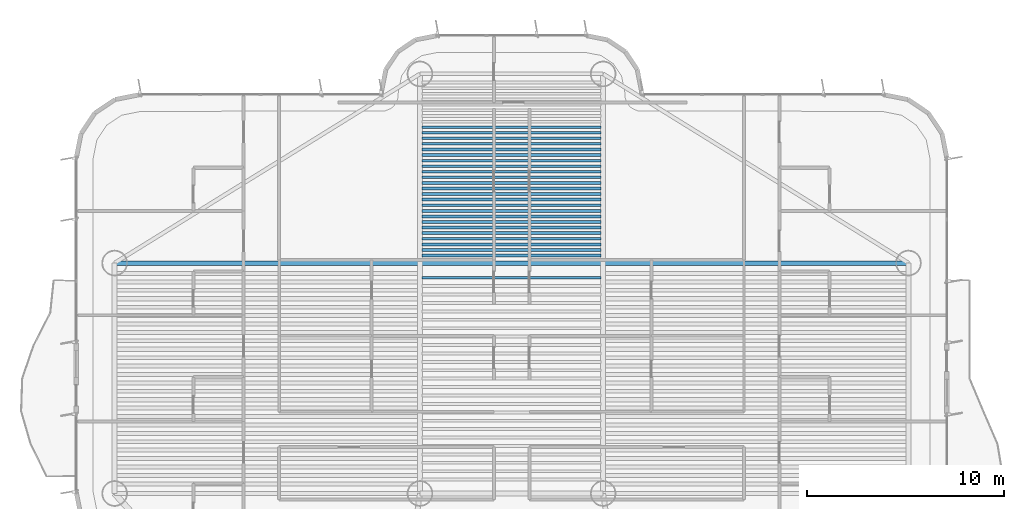
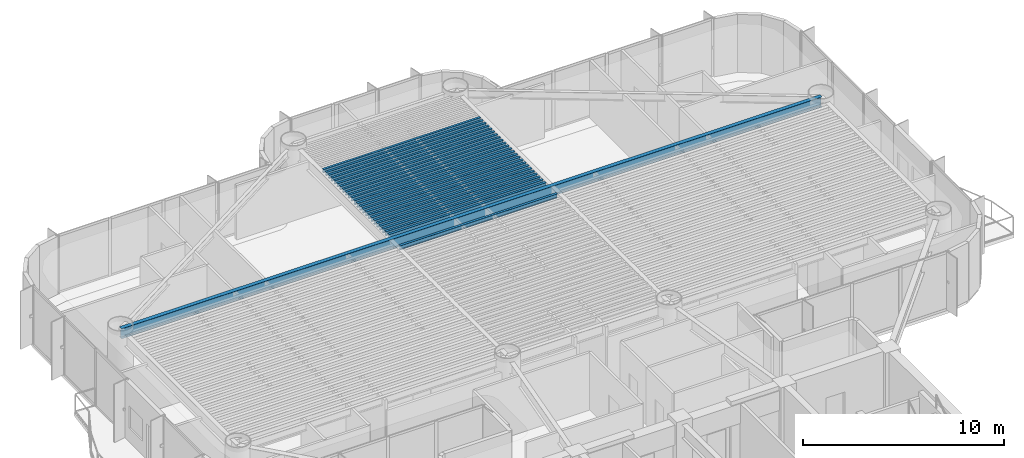
# One storey, part 6 of 17: 26 beams.
"""IFC4 building model written with IfcOpenShell, lengths in metres."""

from ifc_helpers import new_model, si_unit, direction, frame, origin, origin_2d, place, context, subcontext, project, spatial, i_section, extrude, source, transform, mapped, material, material_profile, profile_set, type_object, element, save


model = new_model("IFC4")

# Units and contexts
model_context = context("Model", 3, precision=1e-05, world=origin(), true_north=direction((0.0, 1.0)))
body_context = subcontext(model_context, "Body", "Model", "MODEL_VIEW")
ifc_project = project(units=[si_unit("LENGTHUNIT", "METRE"), si_unit("AREAUNIT", "SQUARE_METRE"), si_unit("VOLUMEUNIT", "CUBIC_METRE"), si_unit("PLANEANGLEUNIT", "RADIAN"), si_unit("MASSUNIT", "GRAM", prefix="KILO")], contexts=[model_context])

# Site, building, storey
site_placement = place(None, origin())
site = spatial("IfcSite", under=ifc_project, at=site_placement, CompositionType="ELEMENT")
building_placement = place(site_placement, origin())
building = spatial("IfcBuilding", under=site, at=building_placement, Name="Brelvock Crest Care Tower", CompositionType="ELEMENT")
storey_placement = place(building_placement, frame((0.0, 0.0, 127.6201171875)))
storey = spatial("IfcBuildingStorey", under=building, at=storey_placement, Name="L32", CompositionType="ELEMENT", Elevation=127.6201171875)

# Beams
ifc_material = material(Name="Steel Grade 350", Category="steel")
ifc_material_profile_1 = material_profile(ifc_material, i_section(OverallWidth=0.14599609375, OverallDepth=0.256103515625, WebThickness=0.00634765625, FlangeThickness=0.010986328125, FilletRadius=0.0087890625, at=origin_2d()), Name="250UB37.3")
ifc_profile_set_1 = profile_set([ifc_material_profile_1], Name="Steel Grade 350")
beam_type_1 = type_object("IfcBeamType", Name="BM-J3", PredefinedType="JOIST", material=ifc_profile_set_1)
shared_shape_1 = source(origin(), body_context, "Body", "SweptSolid", [
    extrude(i_section(OverallWidth=0.14599609375, OverallDepth=0.256103515625, WebThickness=0.00634765625, FlangeThickness=0.010986328125, FilletRadius=0.0087890625, at=origin_2d()), origin(), (0.0, 0.0, 1.0), 9.06982421875),
])
for number, where, z_axis, x_axis, name in (
    (1, (31.465087890625, 38.10400390625, 3.40185546875), (1.0, 0.0, 0.0), (0.0, 1.0, 0.0), "BM-JH-L32-25"),
    (2, (31.465087890625, 39.23388671875, 3.40185546875), (1.0, 0.0, 0.0), (0.0, 1.0, 0.0), "BM-JN-L32-1"),
    (3, (31.465087890625, 39.51708984375, 3.40185546875), (1.0, 0.0, 0.0), (0.0, 1.0, 0.0), "BM-JN-L32-2"),
    (4, (31.465087890625, 39.80029296875, 3.40185546875), (1.0, 0.0, 0.0), (0.0, 1.0, 0.0), "BM-JN-L32-3"),
    (5, (31.465087890625, 40.08349609375, 3.40185546875), (1.0, 0.0, 0.0), (0.0, 1.0, 0.0), "BM-JN-L32-4"),
    (6, (31.465087890625, 40.36669921875, 3.40185546875), (1.0, 0.0, 0.0), (0.0, 1.0, 0.0), "BM-JN-L32-5"),
    (7, (31.465087890625, 40.64990234375, 3.40185546875), (1.0, 0.0, 0.0), (0.0, 1.0, 0.0), "BM-JN-L32-6"),
    (8, (31.465087890625, 40.93310546875, 3.40185546875), (1.0, 0.0, 0.0), (0.0, 1.0, 0.0), "BM-JN-L32-7"),
    (9, (31.465087890625, 41.21630859375, 3.40185546875), (1.0, 0.0, 0.0), (0.0, 1.0, 0.0), "BM-JN-L32-8"),
    (10, (31.465087890625, 41.49951171875, 3.40185546875), (1.0, 0.0, 0.0), (0.0, 1.0, 0.0), "BM-JN-L32-9"),
    (11, (31.465087890625, 41.78271484375, 3.40185546875), (1.0, 0.0, 0.0), (0.0, 1.0, 0.0), "BM-JN-L32-10"),
    (12, (31.465087890625, 42.06591796875, 3.40185546875), (1.0, 0.0, 0.0), (0.0, 1.0, 0.0), "BM-JN-L32-11"),
    (13, (31.465087890625, 42.34912109375, 3.40185546875), (1.0, 0.0, 0.0), (0.0, 1.0, 0.0), "BM-JN-L32-12"),
    (14, (31.465087890625, 42.63232421875, 3.40185546875), (1.0, 0.0, 0.0), (0.0, 1.0, 0.0), "BM-JN-L32-13"),
):
    element("IfcBeam", number, at=place(storey_placement, frame(where, z_axis=z_axis, x_axis=x_axis)), inside=storey, type_object=beam_type_1, Name=name, PredefinedType="JOIST", context=body_context, shape_type="MappedRepresentation", body=[
        mapped(shared_shape_1, transform((0.0, 0.0, 0.0), x_axis=(1.0, 0.0, 0.0), y_axis=(0.0, 1.0, 0.0), z_axis=(0.0, 0.0, 1.0), scale=1.0)),
    ])
ifc_material_profile_2 = material_profile(ifc_material, i_section(OverallWidth=0.134033203125, OverallDepth=0.20703125, WebThickness=0.00634765625, FlangeThickness=0.009521484375, FilletRadius=0.0087890625, at=origin_2d()), Name="200UB29.8")
ifc_profile_set_2 = profile_set([ifc_material_profile_2], Name="Steel Grade 350")
beam_type_2 = type_object("IfcBeamType", Name="BM-J4", PredefinedType="JOIST", material=ifc_profile_set_2)
shared_shape_2 = source(origin(), body_context, "Body", "SweptSolid", [
    extrude(i_section(OverallWidth=0.134033203125, OverallDepth=0.20703125, WebThickness=0.00634765625, FlangeThickness=0.009521484375, FilletRadius=0.0087890625, at=origin_2d()), origin(), (0.0, 0.0, 1.0), 9.06982421875),
])
for number, where, z_axis, x_axis, name in (
    (15, (31.465087890625, 42.91552734375, 3.42626953125), (1.0, 0.0, 0.0), (0.0, 1.0, 0.0), "BM-JN-L32-14"),
    (16, (31.465087890625, 43.19873046875, 3.42626953125), (1.0, 0.0, 0.0), (0.0, 1.0, 0.0), "BM-JN-L32-15"),
    (17, (31.465087890625, 43.48193359375, 3.42626953125), (1.0, 0.0, 0.0), (0.0, 1.0, 0.0), "BM-JN-L32-16"),
    (18, (31.465087890625, 43.76513671875, 3.42626953125), (1.0, 0.0, 0.0), (0.0, 1.0, 0.0), "BM-JN-L32-17"),
    (19, (31.465087890625, 44.04833984375, 3.42626953125), (1.0, 0.0, 0.0), (0.0, 1.0, 0.0), "BM-JN-L32-18"),
    (20, (31.465087890625, 44.33154296875, 3.42626953125), (1.0, 0.0, 0.0), (0.0, 1.0, 0.0), "BM-JN-L32-19"),
    (21, (31.465087890625, 44.61474609375, 3.42626953125), (1.0, 0.0, 0.0), (0.0, 1.0, 0.0), "BM-JN-L32-20"),
    (22, (31.465087890625, 44.89794921875, 3.42626953125), (1.0, 0.0, 0.0), (0.0, 1.0, 0.0), "BM-JN-L32-21"),
    (23, (31.465087890625, 45.18115234375, 3.42626953125), (1.0, 0.0, 0.0), (0.0, 1.0, 0.0), "BM-JN-L32-22"),
    (24, (31.465087890625, 45.46435546875, 3.42626953125), (1.0, 0.0, 0.0), (0.0, 1.0, 0.0), "BM-JN-L32-23"),
    (25, (31.465087890625, 45.74755859375, 3.42626953125), (1.0, 0.0, 0.0), (0.0, 1.0, 0.0), "BM-JN-L32-24"),
):
    element("IfcBeam", number, at=place(storey_placement, frame(where, z_axis=z_axis, x_axis=x_axis)), inside=storey, type_object=beam_type_2, Name=name, PredefinedType="JOIST", context=body_context, shape_type="MappedRepresentation", body=[
        mapped(shared_shape_2, transform((0.0, 0.0, 0.0), x_axis=(1.0, 0.0, 0.0), y_axis=(0.0, 1.0, 0.0), z_axis=(0.0, 0.0, 1.0), scale=1.0)),
    ])
ifc_material_profile_3 = material_profile(ifc_material, i_section(OverallWidth=0.22900390625, OverallDepth=0.612060546875, WebThickness=0.011962890625, FlangeThickness=0.01953125, FilletRadius=0.013916015625, at=origin_2d()), Name="610UB125")
ifc_profile_set_3 = profile_set([ifc_material_profile_3], Name="Steel Grade 350")
beam_type_3 = type_object("IfcBeamType", Name="BM-G1", PredefinedType="BEAM", material=ifc_profile_set_3)
shared_shape_3 = source(origin(), body_context, "Body", "SweptSolid", [
    extrude(i_section(OverallWidth=0.22900390625, OverallDepth=0.612060546875, WebThickness=0.011962890625, FlangeThickness=0.01953125, FilletRadius=0.013916015625, at=origin_2d()), origin(), (0.0, 0.0, 1.0), 40.2998046875),
])
beam_placement = place(storey_placement, frame((15.85009765625, 38.85009765625, 3.223876953125), z_axis=(1.0, 0.0, 0.0), x_axis=(0.0, 1.0, 0.0)))
element("IfcBeam", 26, at=beam_placement, inside=storey, type_object=beam_type_3, Name="BM-TWR-L32-11", PredefinedType="BEAM", context=body_context, shape_type="MappedRepresentation", body=[
    mapped(shared_shape_3, transform((0.0, 0.0, 0.0), x_axis=(1.0, 0.0, 0.0), y_axis=(0.0, 1.0, 0.0), z_axis=(0.0, 0.0, 1.0), scale=1.0)),
])

save(model, "model.ifc")
